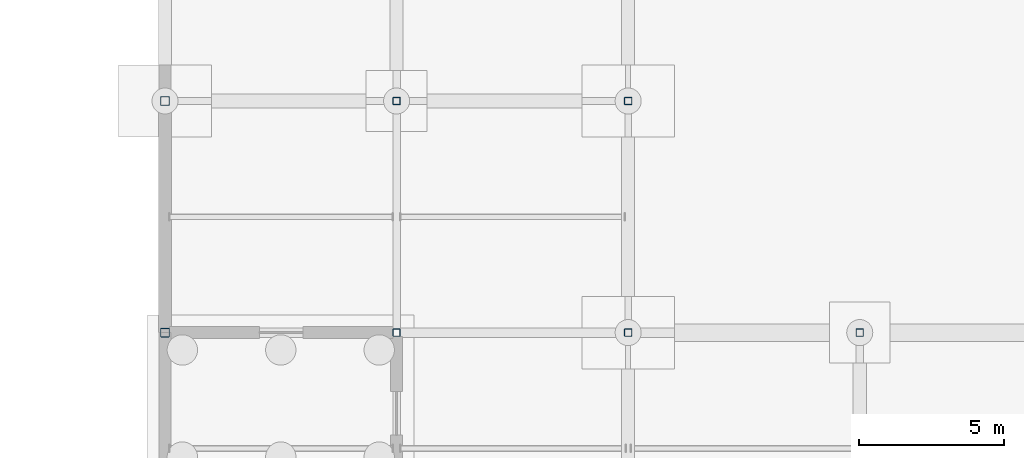
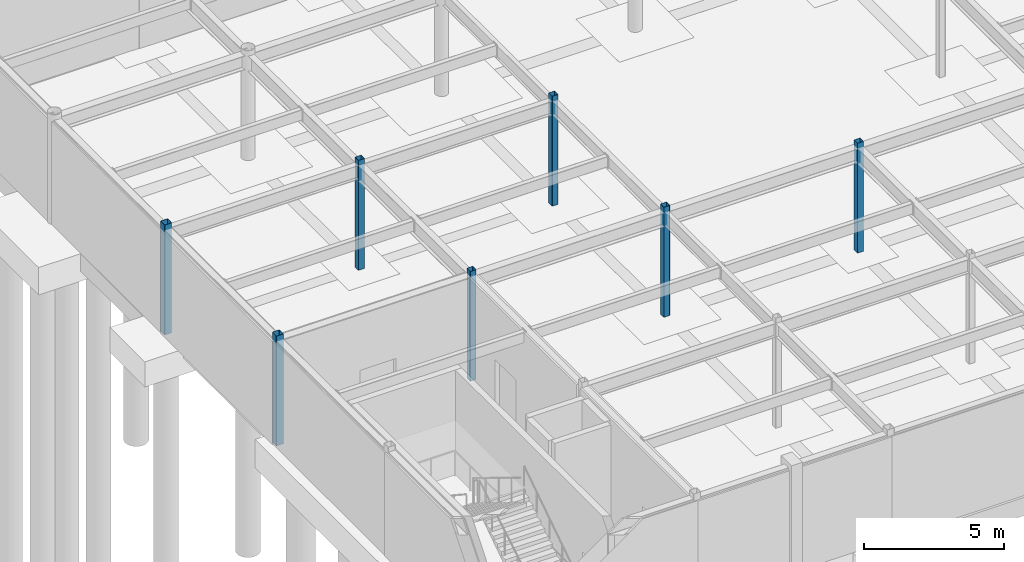
# One storey, part 14 of 105: 7 columns.
"""IFC4 building model written with IfcOpenShell, lengths in metres."""

from ifc_helpers import new_model, si_unit, direction, frame, origin, origin_2d, place, context, subcontext, project, spatial, hollow_rectangle, extrude, material, material_profile, profile_set, type_object, element, save


model = new_model("IFC4")

# Units and contexts
model_context = context("Model", 3, precision=1e-05, world=origin(), true_north=direction((0.0, 1.0)))
body_context = subcontext(model_context, "Body", "Model", "MODEL_VIEW")
ifc_project = project(units=[si_unit("LENGTHUNIT", "METRE"), si_unit("AREAUNIT", "SQUARE_METRE"), si_unit("VOLUMEUNIT", "CUBIC_METRE"), si_unit("PLANEANGLEUNIT", "RADIAN"), si_unit("MASSUNIT", "GRAM", prefix="KILO")], contexts=[model_context])

# Site, building, storey
site_placement = place(None, origin())
site = spatial("IfcSite", under=ifc_project, at=site_placement, CompositionType="ELEMENT")
building_placement = place(site_placement, origin())
building = spatial("IfcBuilding", under=site, at=building_placement, Name="Solmirada Galleria", CompositionType="ELEMENT")
storey_placement = place(building_placement, frame((0.0, 0.0, -4.800048828125)))
storey = spatial("IfcBuildingStorey", under=building, at=storey_placement, Name="B1", CompositionType="ELEMENT", Elevation=-4.800048828125)

# Columns
ifc_material = material(Name="Steel S355 / ASTM A500 Grade C", Category="steel")
ifc_material_profile_1 = material_profile(ifc_material, hollow_rectangle(XDim=0.25390625, YDim=0.25390625, WallThickness=0.0087890625, InnerFilletRadius=0.0087890625, OuterFilletRadius=0.017822265625, at=origin_2d()), Name="HSS10X10X3/8")
ifc_profile_set_1 = profile_set([ifc_material_profile_1], Name="Steel S355 / ASTM A500 Grade C")
column_type_1 = type_object("IfcColumnType", Name="COL-HSS10", PredefinedType="COLUMN", material=ifc_profile_set_1)
for number, where, z_axis, x_axis, name in (
    (1, (48.0, 16.0, 0.0), (0.0, 0.0, 1.0), (1.0, 0.0, 0.0), "Structural column B1-0086"),
    (2, (48.0, 24.0, 0.0), (0.0, 0.0, 1.0), (1.0, 0.0, 0.0), "Structural column B1-0089"),
    (3, (56.0, 16.0, 0.0), (0.0, 0.0, 1.0), (1.0, 0.0, 0.0), "Structural column B1-0153"),
    (4, (56.0, 24.0, 0.0), (0.0, 0.0, 1.0), (1.0, 0.0, 0.0), "Structural column B1-0156"),
    (5, (64.0, 16.0, 0.0), (0.0, 0.0, 1.0), (1.0, 0.0, 0.0), "Structural column B1-0220"),
):
    element("IfcColumn", number, at=place(storey_placement, frame(where, z_axis=z_axis, x_axis=x_axis)), inside=storey, type_object=column_type_1, Name=name, PredefinedType="COLUMN", context=body_context, shape_type="SweptSolid", body=[
        extrude(hollow_rectangle(XDim=0.25390625, YDim=0.25390625, WallThickness=0.0087890625, InnerFilletRadius=0.0087890625, OuterFilletRadius=0.017822265625, at=origin_2d()), origin(), (0.0, 0.0, 1.0), 4.800048828125),
    ])
ifc_material_profile_2 = material_profile(ifc_material, hollow_rectangle(XDim=0.304931640625, YDim=0.304931640625, WallThickness=0.01171875, InnerFilletRadius=0.01171875, OuterFilletRadius=0.023681640625, at=origin_2d()), Name="HSS12X12X1/2")
ifc_profile_set_2 = profile_set([ifc_material_profile_2], Name="Steel S355 / ASTM A500 Grade C")
column_type_2 = type_object("IfcColumnType", Name="COL-HSS12", PredefinedType="COLUMN", material=ifc_profile_set_2)
for number, where, z_axis, x_axis, name in (
    (6, (40.0, 16.0, 0.0), (0.0, 0.0, 1.0), (1.0, 0.0, 0.0), "Structural column B1-0023"),
    (7, (40.0, 24.0, 0.0), (0.0, 0.0, 1.0), (1.0, 0.0, 0.0), "Structural column B1-0026"),
):
    element("IfcColumn", number, at=place(storey_placement, frame(where, z_axis=z_axis, x_axis=x_axis)), inside=storey, type_object=column_type_2, Name=name, PredefinedType="COLUMN", context=body_context, shape_type="SweptSolid", body=[
        extrude(hollow_rectangle(XDim=0.304931640625, YDim=0.304931640625, WallThickness=0.01171875, InnerFilletRadius=0.01171875, OuterFilletRadius=0.023681640625, at=origin_2d()), origin(), (0.0, 0.0, 1.0), 4.800048828125),
    ])

save(model, "model.ifc")
